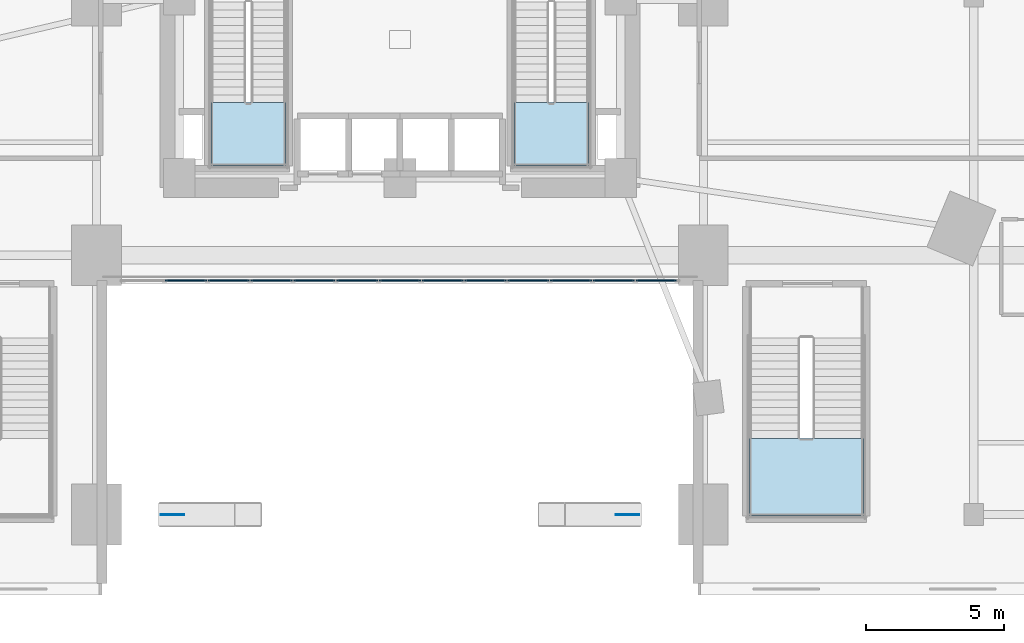
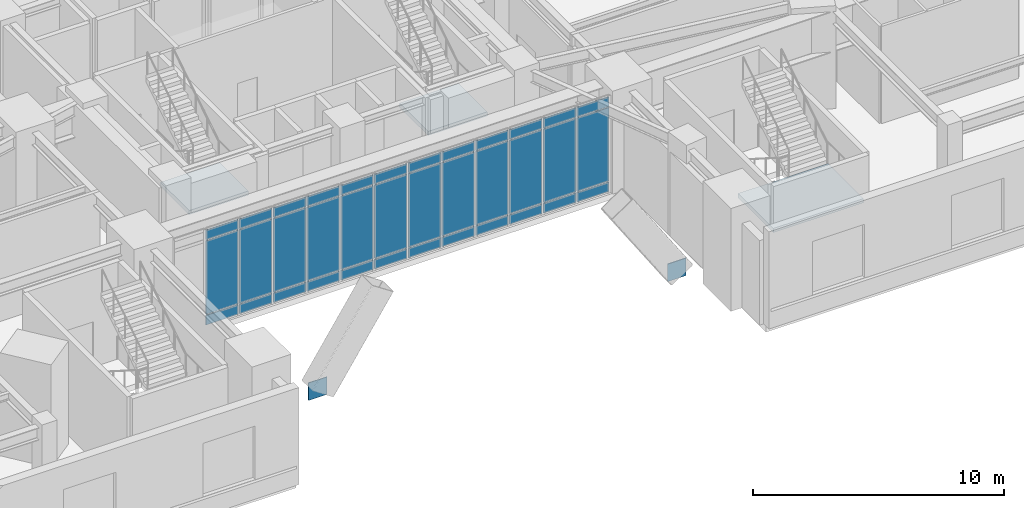
# One storey, part 16 of 26: 38 plates, 3 slabs, 4 elements without a shape of their own.
"""IFC4 building model written with IfcOpenShell, lengths in metres."""

from ifc_helpers import new_model, si_unit, direction, frame, origin, origin_2d, place, context, subcontext, project, spatial, polyline, rectangle, outline, extrude, material, layer, layer_set, type_object, element, aggregate, save


model = new_model("IFC4")

# Units and contexts
model_context = context("Model", 3, precision=1e-05, world=origin(), true_north=direction((0.0, 1.0)))
body_context = subcontext(model_context, "Body", "Model", "MODEL_VIEW")
ifc_project = project(units=[si_unit("LENGTHUNIT", "METRE"), si_unit("AREAUNIT", "SQUARE_METRE"), si_unit("VOLUMEUNIT", "CUBIC_METRE"), si_unit("PLANEANGLEUNIT", "RADIAN"), si_unit("MASSUNIT", "GRAM", prefix="KILO")], contexts=[model_context])

# Site, building, storey
site_placement = place(None, origin())
site = spatial("IfcSite", under=ifc_project, at=site_placement, CompositionType="ELEMENT")
building_placement = place(site_placement, origin())
building = spatial("IfcBuilding", under=site, at=building_placement, Name="Ndelora Gate Hotel", CompositionType="ELEMENT")
storey_placement = place(building_placement, frame((0.0, 0.0, 6.0)))
storey = spatial("IfcBuildingStorey", under=building, at=storey_placement, Name="L01", CompositionType="ELEMENT", Elevation=6.0)

# Curtain wall, plates
ifc_material_1 = material(Name="Bronze Anodised Unitised Aluminium and Low-E Glass", Category="aluminium")
ifc_layer_1 = layer(ifc_material_1, 0.239990234375)
ifc_layer_set_1 = layer_set([ifc_layer_1], Name="Bronze Anodised Unitised Aluminium and Low-E Glass")
curtain_wall_type = type_object("IfcCurtainWallType", Name="CW-SYS-1", PredefinedType="NOTDEFINED", material=ifc_layer_set_1)
curtain_wall_placement = place(storey_placement, origin())
curtain_wall = element("IfcCurtainWall", 1, at=curtain_wall_placement, inside=storey, type_object=curtain_wall_type, Name="L01 South Portal Arch Concourse Curtain Wall CW1", PredefinedType="NOTDEFINED")
ifc_material_2 = material(Name="Solar-Control Low-E Insulated Glazing", Category="glass")
ifc_layer_2 = layer(ifc_material_2, 0.048095703125)
ifc_layer_set_2 = layer_set([ifc_layer_2], Name="Solar-Control Low-E Insulated Glazing")
plate_type_1 = type_object("IfcPlateType", Name="PL-CW-GLZ36", PredefinedType="CURTAIN_PANEL", material=ifc_layer_set_2)
plate_1_placement = place(storey_placement, frame((-7.75390625, -10.320068359375, 0.05908203125), z_axis=(0.0, 0.0, 1.0), x_axis=(1.0, 0.0, 0.0)))
plate_1 = element("IfcPlate", 2, at=plate_1_placement, type_object=plate_type_1, Name="CW1 panel 2.1", PredefinedType="CURTAIN_PANEL", context=body_context, shape_type="SweptSolid", body=[
    extrude(rectangle(XDim=1.49267578125, YDim=0.048095703125, at=origin_2d()), origin(), (0.0, 0.0, 1.0), 0.464599609375),
])
plate_2_placement = place(storey_placement, frame((-7.75390625, -10.320068359375, 0.57666015625), z_axis=(0.0, 0.0, 1.0), x_axis=(1.0, 0.0, 0.0)))
plate_2 = element("IfcPlate", 3, at=plate_2_placement, type_object=plate_type_1, Name="CW1 panel 2.2", PredefinedType="CURTAIN_PANEL", context=body_context, shape_type="SweptSolid", body=[
    extrude(rectangle(XDim=1.49267578125, YDim=0.048095703125, at=origin_2d()), origin(), (0.0, 0.0, 1.0), 3.56689453125),
])
plate_3_placement = place(storey_placement, frame((-7.75390625, -10.320068359375, 4.1962890625), z_axis=(0.0, 0.0, 1.0), x_axis=(1.0, 0.0, 0.0)))
plate_3 = element("IfcPlate", 4, at=plate_3_placement, type_object=plate_type_1, Name="CW1 panel 2.3", PredefinedType="CURTAIN_PANEL", context=body_context, shape_type="SweptSolid", body=[
    extrude(rectangle(XDim=1.49267578125, YDim=0.048095703125, at=origin_2d()), origin(), (0.0, 0.0, 1.0), 0.464599609375),
])
plate_4_placement = place(storey_placement, frame((-6.203125, -10.320068359375, 0.05908203125), z_axis=(0.0, 0.0, 1.0), x_axis=(1.0, 0.0, 0.0)))
plate_4 = element("IfcPlate", 5, at=plate_4_placement, type_object=plate_type_1, Name="CW1 panel 3.1", PredefinedType="CURTAIN_PANEL", context=body_context, shape_type="SweptSolid", body=[
    extrude(rectangle(XDim=1.49267578125, YDim=0.048095703125, at=origin_2d()), origin(), (0.0, 0.0, 1.0), 0.464599609375),
])
plate_5_placement = place(storey_placement, frame((-6.203125, -10.320068359375, 0.57666015625), z_axis=(0.0, 0.0, 1.0), x_axis=(1.0, 0.0, 0.0)))
plate_5 = element("IfcPlate", 6, at=plate_5_placement, type_object=plate_type_1, Name="CW1 panel 3.2", PredefinedType="CURTAIN_PANEL", context=body_context, shape_type="SweptSolid", body=[
    extrude(rectangle(XDim=1.49267578125, YDim=0.048095703125, at=origin_2d()), origin(), (0.0, 0.0, 1.0), 3.56689453125),
])
plate_6_placement = place(storey_placement, frame((-6.203125, -10.320068359375, 4.1962890625), z_axis=(0.0, 0.0, 1.0), x_axis=(1.0, 0.0, 0.0)))
plate_6 = element("IfcPlate", 7, at=plate_6_placement, type_object=plate_type_1, Name="CW1 panel 3.3", PredefinedType="CURTAIN_PANEL", context=body_context, shape_type="SweptSolid", body=[
    extrude(rectangle(XDim=1.49267578125, YDim=0.048095703125, at=origin_2d()), origin(), (0.0, 0.0, 1.0), 0.464599609375),
])
plate_7_placement = place(storey_placement, frame((-4.65234375, -10.320068359375, 0.05908203125), z_axis=(0.0, 0.0, 1.0), x_axis=(1.0, 0.0, 0.0)))
plate_7 = element("IfcPlate", 8, at=plate_7_placement, type_object=plate_type_1, Name="CW1 panel 4.1", PredefinedType="CURTAIN_PANEL", context=body_context, shape_type="SweptSolid", body=[
    extrude(rectangle(XDim=1.49267578125, YDim=0.048095703125, at=origin_2d()), origin(), (0.0, 0.0, 1.0), 0.464599609375),
])
plate_8_placement = place(storey_placement, frame((-4.65234375, -10.320068359375, 0.57666015625), z_axis=(0.0, 0.0, 1.0), x_axis=(1.0, 0.0, 0.0)))
plate_8 = element("IfcPlate", 9, at=plate_8_placement, type_object=plate_type_1, Name="CW1 panel 4.2", PredefinedType="CURTAIN_PANEL", context=body_context, shape_type="SweptSolid", body=[
    extrude(rectangle(XDim=1.49267578125, YDim=0.048095703125, at=origin_2d()), origin(), (0.0, 0.0, 1.0), 3.56689453125),
])
plate_9_placement = place(storey_placement, frame((-4.65234375, -10.320068359375, 4.1962890625), z_axis=(0.0, 0.0, 1.0), x_axis=(1.0, 0.0, 0.0)))
plate_9 = element("IfcPlate", 10, at=plate_9_placement, type_object=plate_type_1, Name="CW1 panel 4.3", PredefinedType="CURTAIN_PANEL", context=body_context, shape_type="SweptSolid", body=[
    extrude(rectangle(XDim=1.49267578125, YDim=0.048095703125, at=origin_2d()), origin(), (0.0, 0.0, 1.0), 0.464599609375),
])
plate_10_placement = place(storey_placement, frame((-3.1015625, -10.320068359375, 0.05908203125), z_axis=(0.0, 0.0, 1.0), x_axis=(1.0, 0.0, 0.0)))
plate_10 = element("IfcPlate", 11, at=plate_10_placement, type_object=plate_type_1, Name="CW1 panel 5.1", PredefinedType="CURTAIN_PANEL", context=body_context, shape_type="SweptSolid", body=[
    extrude(rectangle(XDim=1.49267578125, YDim=0.048095703125, at=origin_2d()), origin(), (0.0, 0.0, 1.0), 0.464599609375),
])
plate_11_placement = place(storey_placement, frame((-3.1015625, -10.320068359375, 0.57666015625), z_axis=(0.0, 0.0, 1.0), x_axis=(1.0, 0.0, 0.0)))
plate_11 = element("IfcPlate", 12, at=plate_11_placement, type_object=plate_type_1, Name="CW1 panel 5.2", PredefinedType="CURTAIN_PANEL", context=body_context, shape_type="SweptSolid", body=[
    extrude(rectangle(XDim=1.49267578125, YDim=0.048095703125, at=origin_2d()), origin(), (0.0, 0.0, 1.0), 3.56689453125),
])
plate_12_placement = place(storey_placement, frame((-3.1015625, -10.320068359375, 4.1962890625), z_axis=(0.0, 0.0, 1.0), x_axis=(1.0, 0.0, 0.0)))
plate_12 = element("IfcPlate", 13, at=plate_12_placement, type_object=plate_type_1, Name="CW1 panel 5.3", PredefinedType="CURTAIN_PANEL", context=body_context, shape_type="SweptSolid", body=[
    extrude(rectangle(XDim=1.49267578125, YDim=0.048095703125, at=origin_2d()), origin(), (0.0, 0.0, 1.0), 0.464599609375),
])
plate_13_placement = place(storey_placement, frame((-1.55078125, -10.320068359375, 0.05908203125), z_axis=(0.0, 0.0, 1.0), x_axis=(1.0, 0.0, 0.0)))
plate_13 = element("IfcPlate", 14, at=plate_13_placement, type_object=plate_type_1, Name="CW1 panel 6.1", PredefinedType="CURTAIN_PANEL", context=body_context, shape_type="SweptSolid", body=[
    extrude(rectangle(XDim=1.49267578125, YDim=0.048095703125, at=origin_2d()), origin(), (0.0, 0.0, 1.0), 0.464599609375),
])
plate_14_placement = place(storey_placement, frame((-1.55078125, -10.320068359375, 0.57666015625), z_axis=(0.0, 0.0, 1.0), x_axis=(1.0, 0.0, 0.0)))
plate_14 = element("IfcPlate", 15, at=plate_14_placement, type_object=plate_type_1, Name="CW1 panel 6.2", PredefinedType="CURTAIN_PANEL", context=body_context, shape_type="SweptSolid", body=[
    extrude(rectangle(XDim=1.49267578125, YDim=0.048095703125, at=origin_2d()), origin(), (0.0, 0.0, 1.0), 3.56689453125),
])
plate_15_placement = place(storey_placement, frame((-1.55078125, -10.320068359375, 4.1962890625), z_axis=(0.0, 0.0, 1.0), x_axis=(1.0, 0.0, 0.0)))
plate_15 = element("IfcPlate", 16, at=plate_15_placement, type_object=plate_type_1, Name="CW1 panel 6.3", PredefinedType="CURTAIN_PANEL", context=body_context, shape_type="SweptSolid", body=[
    extrude(rectangle(XDim=1.49267578125, YDim=0.048095703125, at=origin_2d()), origin(), (0.0, 0.0, 1.0), 0.464599609375),
])
plate_16_placement = place(storey_placement, frame((0.0, -10.320068359375, 0.05908203125), z_axis=(0.0, 0.0, 1.0), x_axis=(1.0, 0.0, 0.0)))
plate_16 = element("IfcPlate", 17, at=plate_16_placement, type_object=plate_type_1, Name="CW1 panel 7.1", PredefinedType="CURTAIN_PANEL", context=body_context, shape_type="SweptSolid", body=[
    extrude(rectangle(XDim=1.49267578125, YDim=0.048095703125, at=origin_2d()), origin(), (0.0, 0.0, 1.0), 0.464599609375),
])
plate_17_placement = place(storey_placement, frame((0.0, -10.320068359375, 0.57666015625), z_axis=(0.0, 0.0, 1.0), x_axis=(1.0, 0.0, 0.0)))
plate_17 = element("IfcPlate", 18, at=plate_17_placement, type_object=plate_type_1, Name="CW1 panel 7.2", PredefinedType="CURTAIN_PANEL", context=body_context, shape_type="SweptSolid", body=[
    extrude(rectangle(XDim=1.49267578125, YDim=0.048095703125, at=origin_2d()), origin(), (0.0, 0.0, 1.0), 3.56689453125),
])
plate_18_placement = place(storey_placement, frame((0.0, -10.320068359375, 4.1962890625), z_axis=(0.0, 0.0, 1.0), x_axis=(1.0, 0.0, 0.0)))
plate_18 = element("IfcPlate", 19, at=plate_18_placement, type_object=plate_type_1, Name="CW1 panel 7.3", PredefinedType="CURTAIN_PANEL", context=body_context, shape_type="SweptSolid", body=[
    extrude(rectangle(XDim=1.49267578125, YDim=0.048095703125, at=origin_2d()), origin(), (0.0, 0.0, 1.0), 0.464599609375),
])
plate_19_placement = place(storey_placement, frame((1.55078125, -10.320068359375, 0.05908203125), z_axis=(0.0, 0.0, 1.0), x_axis=(1.0, 0.0, 0.0)))
plate_19 = element("IfcPlate", 20, at=plate_19_placement, type_object=plate_type_1, Name="CW1 panel 8.1", PredefinedType="CURTAIN_PANEL", context=body_context, shape_type="SweptSolid", body=[
    extrude(rectangle(XDim=1.49267578125, YDim=0.048095703125, at=origin_2d()), origin(), (0.0, 0.0, 1.0), 0.464599609375),
])
plate_20_placement = place(storey_placement, frame((1.55078125, -10.320068359375, 0.57666015625), z_axis=(0.0, 0.0, 1.0), x_axis=(1.0, 0.0, 0.0)))
plate_20 = element("IfcPlate", 21, at=plate_20_placement, type_object=plate_type_1, Name="CW1 panel 8.2", PredefinedType="CURTAIN_PANEL", context=body_context, shape_type="SweptSolid", body=[
    extrude(rectangle(XDim=1.49267578125, YDim=0.048095703125, at=origin_2d()), origin(), (0.0, 0.0, 1.0), 3.56689453125),
])
plate_21_placement = place(storey_placement, frame((1.55078125, -10.320068359375, 4.1962890625), z_axis=(0.0, 0.0, 1.0), x_axis=(1.0, 0.0, 0.0)))
plate_21 = element("IfcPlate", 22, at=plate_21_placement, type_object=plate_type_1, Name="CW1 panel 8.3", PredefinedType="CURTAIN_PANEL", context=body_context, shape_type="SweptSolid", body=[
    extrude(rectangle(XDim=1.49267578125, YDim=0.048095703125, at=origin_2d()), origin(), (0.0, 0.0, 1.0), 0.464599609375),
])
plate_22_placement = place(storey_placement, frame((3.1015625, -10.320068359375, 0.05908203125), z_axis=(0.0, 0.0, 1.0), x_axis=(1.0, 0.0, 0.0)))
plate_22 = element("IfcPlate", 23, at=plate_22_placement, type_object=plate_type_1, Name="CW1 panel 9.1", PredefinedType="CURTAIN_PANEL", context=body_context, shape_type="SweptSolid", body=[
    extrude(rectangle(XDim=1.49267578125, YDim=0.048095703125, at=origin_2d()), origin(), (0.0, 0.0, 1.0), 0.464599609375),
])
plate_23_placement = place(storey_placement, frame((3.1015625, -10.320068359375, 0.57666015625), z_axis=(0.0, 0.0, 1.0), x_axis=(1.0, 0.0, 0.0)))
plate_23 = element("IfcPlate", 24, at=plate_23_placement, type_object=plate_type_1, Name="CW1 panel 9.2", PredefinedType="CURTAIN_PANEL", context=body_context, shape_type="SweptSolid", body=[
    extrude(rectangle(XDim=1.49267578125, YDim=0.048095703125, at=origin_2d()), origin(), (0.0, 0.0, 1.0), 3.56689453125),
])
plate_24_placement = place(storey_placement, frame((3.1015625, -10.320068359375, 4.1962890625), z_axis=(0.0, 0.0, 1.0), x_axis=(1.0, 0.0, 0.0)))
plate_24 = element("IfcPlate", 25, at=plate_24_placement, type_object=plate_type_1, Name="CW1 panel 9.3", PredefinedType="CURTAIN_PANEL", context=body_context, shape_type="SweptSolid", body=[
    extrude(rectangle(XDim=1.49267578125, YDim=0.048095703125, at=origin_2d()), origin(), (0.0, 0.0, 1.0), 0.464599609375),
])
plate_25_placement = place(storey_placement, frame((4.65234375, -10.320068359375, 0.05908203125), z_axis=(0.0, 0.0, 1.0), x_axis=(1.0, 0.0, 0.0)))
plate_25 = element("IfcPlate", 26, at=plate_25_placement, type_object=plate_type_1, Name="CW1 panel 10.1", PredefinedType="CURTAIN_PANEL", context=body_context, shape_type="SweptSolid", body=[
    extrude(rectangle(XDim=1.49267578125, YDim=0.048095703125, at=origin_2d()), origin(), (0.0, 0.0, 1.0), 0.464599609375),
])
plate_26_placement = place(storey_placement, frame((4.65234375, -10.320068359375, 0.57666015625), z_axis=(0.0, 0.0, 1.0), x_axis=(1.0, 0.0, 0.0)))
plate_26 = element("IfcPlate", 27, at=plate_26_placement, type_object=plate_type_1, Name="CW1 panel 10.2", PredefinedType="CURTAIN_PANEL", context=body_context, shape_type="SweptSolid", body=[
    extrude(rectangle(XDim=1.49267578125, YDim=0.048095703125, at=origin_2d()), origin(), (0.0, 0.0, 1.0), 3.56689453125),
])
plate_27_placement = place(storey_placement, frame((4.65234375, -10.320068359375, 4.1962890625), z_axis=(0.0, 0.0, 1.0), x_axis=(1.0, 0.0, 0.0)))
plate_27 = element("IfcPlate", 28, at=plate_27_placement, type_object=plate_type_1, Name="CW1 panel 10.3", PredefinedType="CURTAIN_PANEL", context=body_context, shape_type="SweptSolid", body=[
    extrude(rectangle(XDim=1.49267578125, YDim=0.048095703125, at=origin_2d()), origin(), (0.0, 0.0, 1.0), 0.464599609375),
])
plate_28_placement = place(storey_placement, frame((6.203125, -10.320068359375, 0.05908203125), z_axis=(0.0, 0.0, 1.0), x_axis=(1.0, 0.0, 0.0)))
plate_28 = element("IfcPlate", 29, at=plate_28_placement, type_object=plate_type_1, Name="CW1 panel 11.1", PredefinedType="CURTAIN_PANEL", context=body_context, shape_type="SweptSolid", body=[
    extrude(rectangle(XDim=1.49267578125, YDim=0.048095703125, at=origin_2d()), origin(), (0.0, 0.0, 1.0), 0.464599609375),
])
plate_29_placement = place(storey_placement, frame((6.203125, -10.320068359375, 0.57666015625), z_axis=(0.0, 0.0, 1.0), x_axis=(1.0, 0.0, 0.0)))
plate_29 = element("IfcPlate", 30, at=plate_29_placement, type_object=plate_type_1, Name="CW1 panel 11.2", PredefinedType="CURTAIN_PANEL", context=body_context, shape_type="SweptSolid", body=[
    extrude(rectangle(XDim=1.49267578125, YDim=0.048095703125, at=origin_2d()), origin(), (0.0, 0.0, 1.0), 3.56689453125),
])
plate_30_placement = place(storey_placement, frame((6.203125, -10.320068359375, 4.1962890625), z_axis=(0.0, 0.0, 1.0), x_axis=(1.0, 0.0, 0.0)))
plate_30 = element("IfcPlate", 31, at=plate_30_placement, type_object=plate_type_1, Name="CW1 panel 11.3", PredefinedType="CURTAIN_PANEL", context=body_context, shape_type="SweptSolid", body=[
    extrude(rectangle(XDim=1.49267578125, YDim=0.048095703125, at=origin_2d()), origin(), (0.0, 0.0, 1.0), 0.464599609375),
])
plate_31_placement = place(storey_placement, frame((7.75390625, -10.320068359375, 0.05908203125), z_axis=(0.0, 0.0, 1.0), x_axis=(1.0, 0.0, 0.0)))
plate_31 = element("IfcPlate", 32, at=plate_31_placement, type_object=plate_type_1, Name="CW1 panel 12.1", PredefinedType="CURTAIN_PANEL", context=body_context, shape_type="SweptSolid", body=[
    extrude(rectangle(XDim=1.49267578125, YDim=0.048095703125, at=origin_2d()), origin(), (0.0, 0.0, 1.0), 0.464599609375),
])
plate_32_placement = place(storey_placement, frame((7.75390625, -10.320068359375, 0.57666015625), z_axis=(0.0, 0.0, 1.0), x_axis=(1.0, 0.0, 0.0)))
plate_32 = element("IfcPlate", 33, at=plate_32_placement, type_object=plate_type_1, Name="CW1 panel 12.2", PredefinedType="CURTAIN_PANEL", context=body_context, shape_type="SweptSolid", body=[
    extrude(rectangle(XDim=1.49267578125, YDim=0.048095703125, at=origin_2d()), origin(), (0.0, 0.0, 1.0), 3.56689453125),
])
plate_33_placement = place(storey_placement, frame((7.75390625, -10.320068359375, 4.1962890625), z_axis=(0.0, 0.0, 1.0), x_axis=(1.0, 0.0, 0.0)))
plate_33 = element("IfcPlate", 34, at=plate_33_placement, type_object=plate_type_1, Name="CW1 panel 12.3", PredefinedType="CURTAIN_PANEL", context=body_context, shape_type="SweptSolid", body=[
    extrude(rectangle(XDim=1.49267578125, YDim=0.048095703125, at=origin_2d()), origin(), (0.0, 0.0, 1.0), 0.464599609375),
])
plate_34_placement = place(storey_placement, frame((9.287109375, -10.320068359375, 0.05908203125), z_axis=(0.0, 0.0, 1.0), x_axis=(1.0, 0.0, 0.0)))
plate_34 = element("IfcPlate", 35, at=plate_34_placement, type_object=plate_type_1, Name="CW1 panel 13.1", PredefinedType="CURTAIN_PANEL", context=body_context, shape_type="SweptSolid", body=[
    extrude(rectangle(XDim=1.457763671875, YDim=0.048095703125, at=origin_2d()), origin(), (0.0, 0.0, 1.0), 0.464599609375),
])
plate_35_placement = place(storey_placement, frame((9.287109375, -10.320068359375, 0.57666015625), z_axis=(0.0, 0.0, 1.0), x_axis=(1.0, 0.0, 0.0)))
plate_35 = element("IfcPlate", 36, at=plate_35_placement, type_object=plate_type_1, Name="CW1 panel 13.2", PredefinedType="CURTAIN_PANEL", context=body_context, shape_type="SweptSolid", body=[
    extrude(rectangle(XDim=1.457763671875, YDim=0.048095703125, at=origin_2d()), origin(), (0.0, 0.0, 1.0), 3.56689453125),
])
plate_36_placement = place(storey_placement, frame((9.287109375, -10.320068359375, 4.1962890625), z_axis=(0.0, 0.0, 1.0), x_axis=(1.0, 0.0, 0.0)))
plate_36 = element("IfcPlate", 37, at=plate_36_placement, type_object=plate_type_1, Name="CW1 panel 13.3", PredefinedType="CURTAIN_PANEL", context=body_context, shape_type="SweptSolid", body=[
    extrude(rectangle(XDim=1.457763671875, YDim=0.048095703125, at=origin_2d()), origin(), (0.0, 0.0, 1.0), 0.464599609375),
])
aggregate(curtain_wall, [plate_1, plate_2, plate_3, plate_4, plate_5, plate_6, plate_7, plate_8, plate_9, plate_10, plate_11, plate_12, plate_13, plate_14, plate_15, plate_16, plate_17, plate_18, plate_19, plate_20, plate_21, plate_22, plate_23, plate_24, plate_25, plate_26, plate_27, plate_28, plate_29, plate_30, plate_31, plate_32, plate_33, plate_34, plate_35, plate_36])

# Plates
ifc_material_3 = material(Name="Steel S460", Category="steel")
ifc_layer_3 = layer(ifc_material_3, 0.035888671875)
ifc_layer_set_3 = layer_set([ifc_layer_3], Name="Steel S460")
plate_type_2 = type_object("IfcPlateType", Name="PL-NODE-AN2", PredefinedType="USERDEFINED", material=ifc_layer_set_3)
for number, where, z_axis, x_axis, name in (
    (38, (-8.25, -18.800048828125, 1.59375), (0.0, 0.0, 1.0), (1.0, 0.0, 0.0), "Node gusset cap plate AN2"),
    (39, (8.25, -18.800048828125, 1.59375), (0.0, 0.0, 1.0), (1.0, 0.0, 0.0), "Node gusset cap plate AN2"),
):
    element("IfcPlate", number, at=place(storey_placement, frame(where, z_axis=z_axis, x_axis=x_axis)), inside=storey, type_object=plate_type_2, Name=name, ObjectType="GUSSET_PLATE", PredefinedType="USERDEFINED", context=body_context, shape_type="SweptSolid", body=[
        extrude(rectangle(XDim=0.85009765625, YDim=0.035888671875, at=origin_2d()), origin(), (0.0, 0.0, 1.0), 0.85009765625),
    ])

# Stair, slab
ifc_material_4 = material(Name="Precast concrete C40/50", Category="concrete")
stair_type_1 = type_object("IfcStairType", Name="STR-DOG-CORE", PredefinedType="HALF_TURN_STAIR", material=ifc_material_4)
stair_1_placement = place(storey_placement, origin())
stair_1 = element("IfcStair", 40, at=stair_1_placement, inside=storey, type_object=stair_type_1, Name="L01 Protected Core Exit Stair ST4", PredefinedType="HALF_TURN_STAIR")
ifc_layer_4 = layer(ifc_material_4, 0.219970703125)
ifc_layer_set_4 = layer_set([ifc_layer_4], Name="Precast concrete C40/50")
slab_type = type_object("IfcSlabType", Name="SL-LAND-220", PredefinedType="LANDING", material=ifc_layer_set_4)
slab_1_placement = place(storey_placement, frame((0.0, 0.0, 2.300048828125)))
slab_1 = element("IfcSlab", 41, at=slab_1_placement, type_object=slab_type, Name="ST4 landing 1", PredefinedType="LANDING", context=body_context, shape_type="SweptSolid", body=[
    extrude(outline(polyline([(-6.85009765625, -3.8701171875), (-6.85009765625, -6.14990234375), (-4.1298828125, -6.14990234375), (-4.1298828125, -3.8701171875), (-6.85009765625, -3.8701171875)])), origin(), (0.0, 0.0, 1.0), 0.199951171875),
])
aggregate(stair_1, [slab_1])

stair_2_placement = place(storey_placement, origin())
stair_2 = element("IfcStair", 42, at=stair_2_placement, inside=storey, type_object=stair_type_1, Name="L01 Protected Core Exit Stair ST5", PredefinedType="HALF_TURN_STAIR")
slab_2_placement = place(storey_placement, frame((0.0, 0.0, 2.300048828125)))
slab_2 = element("IfcSlab", 43, at=slab_2_placement, type_object=slab_type, Name="ST5 landing 1", PredefinedType="LANDING", context=body_context, shape_type="SweptSolid", body=[
    extrude(outline(polyline([(4.1298828125, -3.8701171875), (4.1298828125, -6.14990234375), (6.85009765625, -6.14990234375), (6.85009765625, -3.8701171875), (4.1298828125, -3.8701171875)])), origin(), (0.0, 0.0, 1.0), 0.199951171875),
])
aggregate(stair_2, [slab_2])

stair_type_2 = type_object("IfcStairType", Name="STR-DOG-POD", PredefinedType="HALF_TURN_STAIR", material=ifc_material_4)
stair_3_placement = place(storey_placement, origin())
stair_3 = element("IfcStair", 44, at=stair_3_placement, inside=storey, type_object=stair_type_2, Name="L01 Podium Conference Exit Stair ST3B", PredefinedType="HALF_TURN_STAIR")
slab_3_placement = place(storey_placement, frame((0.0, 0.0, 2.300048828125)))
slab_3 = element("IfcSlab", 45, at=slab_3_placement, type_object=slab_type, Name="ST3B landing 1", PredefinedType="LANDING", context=body_context, shape_type="SweptSolid", body=[
    extrude(outline(polyline([(12.659912109375, -16.0400390625), (12.659912109375, -18.85009765625), (16.800048828125, -18.85009765625), (16.800048828125, -16.0400390625), (12.659912109375, -16.0400390625)])), origin(), (0.0, 0.0, 1.0), 0.199951171875),
])
aggregate(stair_3, [slab_3])

save(model, "model.ifc")
